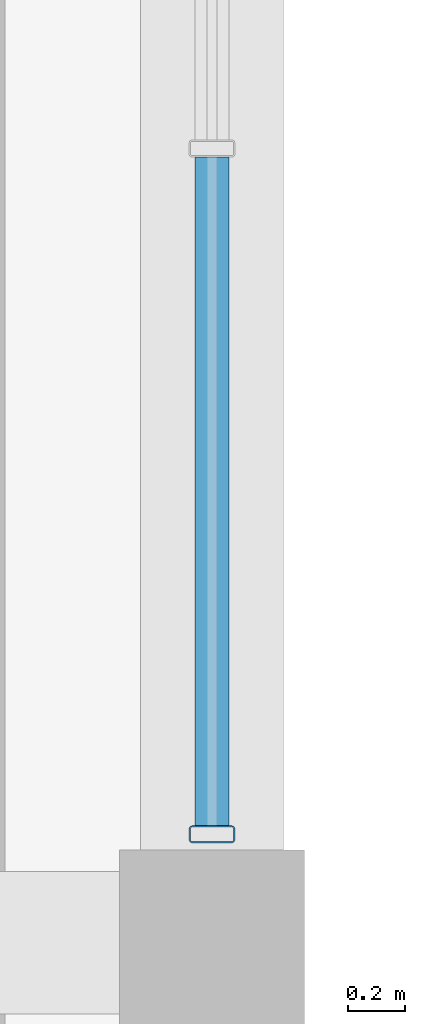
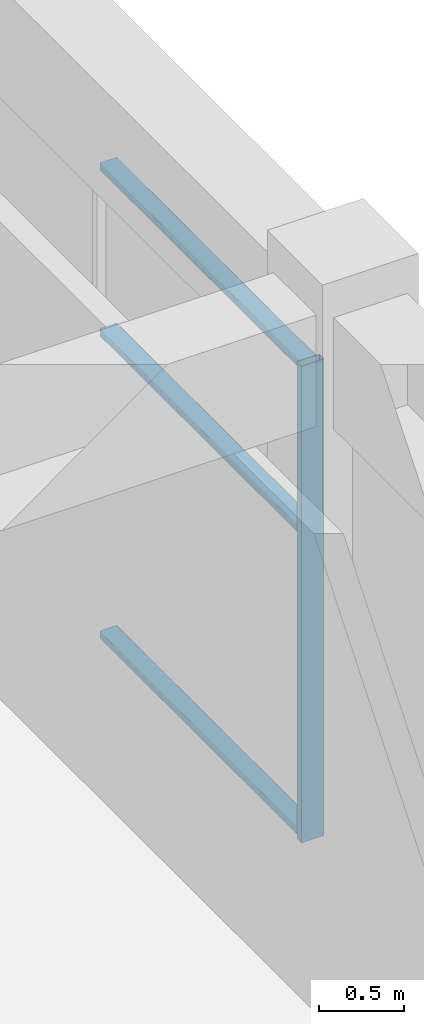
# One storey, part 12 of 52: 4 members, 1 element without a shape of its own.
"""IFC4 building model written with IfcOpenShell, lengths in metres."""

from ifc_helpers import new_model, si_unit, direction, frame, origin, origin_2d, place, context, subcontext, project, spatial, hollow_rectangle, extrude, material, layer, layer_set, material_profile, profile_set, type_object, element, aggregate, save


model = new_model("IFC4")

# Units and contexts
model_context = context("Model", 3, precision=1e-05, world=origin(), true_north=direction((0.0, 1.0)))
body_context = subcontext(model_context, "Body", "Model", "MODEL_VIEW")
ifc_project = project(units=[si_unit("LENGTHUNIT", "METRE"), si_unit("AREAUNIT", "SQUARE_METRE"), si_unit("VOLUMEUNIT", "CUBIC_METRE"), si_unit("PLANEANGLEUNIT", "RADIAN"), si_unit("MASSUNIT", "GRAM", prefix="KILO")], contexts=[model_context])

# Site, building, storey
site_placement = place(None, origin())
site = spatial("IfcSite", under=ifc_project, at=site_placement, CompositionType="ELEMENT")
building_placement = place(site_placement, origin())
building = spatial("IfcBuilding", under=site, at=building_placement, Name="Kelanora Arch Commons", CompositionType="ELEMENT")
storey_placement = place(building_placement, frame((0.0, 0.0, 13.5)))
storey = spatial("IfcBuildingStorey", under=building, at=storey_placement, Name="L03", CompositionType="ELEMENT", Elevation=13.5)

# Curtain wall, members
ifc_material_1 = material(Name="Terracotta ceramic-fritted low-E glass and aluminium", Category="masonry")
ifc_layer = layer(ifc_material_1, 0.16796875)
ifc_layer_set = layer_set([ifc_layer], Name="Terracotta ceramic-fritted low-E glass and aluminium")
curtain_wall_type = type_object("IfcCurtainWallType", Name="CW-SYS-07", PredefinedType="NOTDEFINED", material=ifc_layer_set)
curtain_wall_placement = place(storey_placement, origin())
curtain_wall = element("IfcCurtainWall", 1, at=curtain_wall_placement, inside=storey, type_object=curtain_wall_type, Name="Market Hall Arcade Curtain Wall L03-27", PredefinedType="NOTDEFINED")
ifc_material_2 = material(Name="Powder-coated aluminium terracotta", Category="masonry")
ifc_material_profile_1 = material_profile(ifc_material_2, hollow_rectangle(XDim=0.159912109375, YDim=0.06005859375, WallThickness=0.0048828125, InnerFilletRadius=0.0048828125, OuterFilletRadius=0.010009765625, at=origin_2d()), Name="CWM160x60")
ifc_profile_set_1 = profile_set([ifc_material_profile_1], Name="Powder-coated aluminium terracotta")
member_type_1 = type_object("IfcMemberType", Name="CWM-STD", PredefinedType="MULLION", material=ifc_profile_set_1)
member_1_placement = place(storey_placement, frame((36.0, 58.3798828125, 0.0), z_axis=(0.0, 0.0, 1.0), x_axis=(-1.0, 0.0, 0.0)))
member_1 = element("IfcMember", 2, at=member_1_placement, type_object=member_type_1, Name="CW-07 mullion 1", PredefinedType="MULLION", context=body_context, shape_type="SweptSolid", body=[
    extrude(hollow_rectangle(XDim=0.159912109375, YDim=0.06005859375, WallThickness=0.0048828125, InnerFilletRadius=0.0048828125, OuterFilletRadius=0.010009765625, at=origin_2d()), origin(), (0.0, 0.0, 1.0), 3.419921875),
])
ifc_material_profile_2 = material_profile(ifc_material_2, hollow_rectangle(XDim=0.1201171875, YDim=0.06005859375, WallThickness=0.0048828125, InnerFilletRadius=0.0048828125, OuterFilletRadius=0.010009765625, at=origin_2d()), Name="CWT120x60")
ifc_profile_set_2 = profile_set([ifc_material_profile_2], Name="Powder-coated aluminium terracotta")
member_type_2 = type_object("IfcMemberType", Name="CWT-STD", PredefinedType="USERDEFINED", material=ifc_profile_set_2)
member_2_placement = place(storey_placement, frame((36.0, 58.409912109375, 0.030029296875), z_axis=(0.0, 1.0, 0.0), x_axis=(-1.0, 0.0, 0.0)))
member_2 = element("IfcMember", 3, at=member_2_placement, type_object=member_type_2, Name="CW-07 transom 1.1", ObjectType="TRANSOM", PredefinedType="USERDEFINED", context=body_context, shape_type="SweptSolid", body=[
    extrude(hollow_rectangle(XDim=0.1201171875, YDim=0.06005859375, WallThickness=0.0048828125, InnerFilletRadius=0.0048828125, OuterFilletRadius=0.010009765625, at=origin_2d()), origin(), (0.0, 0.0, 1.0), 2.343505859375),
])
member_3_placement = place(storey_placement, frame((36.0, 58.409912109375, 2.199951171875), z_axis=(0.0, 1.0, 0.0), x_axis=(-1.0, 0.0, 0.0)))
member_3 = element("IfcMember", 4, at=member_3_placement, type_object=member_type_2, Name="CW-07 transom 1.2", ObjectType="TRANSOM", PredefinedType="USERDEFINED", context=body_context, shape_type="SweptSolid", body=[
    extrude(hollow_rectangle(XDim=0.1201171875, YDim=0.06005859375, WallThickness=0.0048828125, InnerFilletRadius=0.0048828125, OuterFilletRadius=0.010009765625, at=origin_2d()), origin(), (0.0, 0.0, 1.0), 2.343505859375),
])
member_4_placement = place(storey_placement, frame((36.0, 58.409912109375, 3.389892578125), z_axis=(0.0, 1.0, 0.0), x_axis=(-1.0, 0.0, 0.0)))
member_4 = element("IfcMember", 5, at=member_4_placement, type_object=member_type_2, Name="CW-07 transom 1.3", ObjectType="TRANSOM", PredefinedType="USERDEFINED", context=body_context, shape_type="SweptSolid", body=[
    extrude(hollow_rectangle(XDim=0.1201171875, YDim=0.06005859375, WallThickness=0.0048828125, InnerFilletRadius=0.0048828125, OuterFilletRadius=0.010009765625, at=origin_2d()), origin(), (0.0, 0.0, 1.0), 2.343505859375),
])
aggregate(curtain_wall, [member_1, member_2, member_3, member_4])

save(model, "model.ifc")
